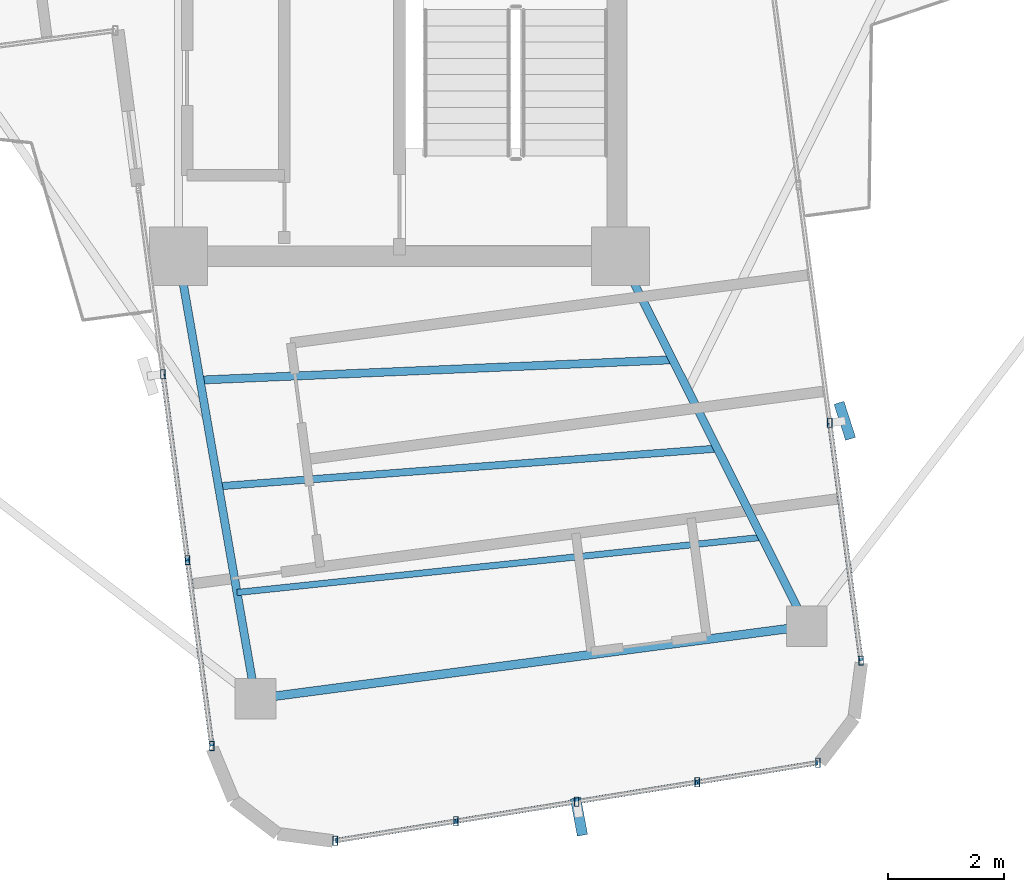
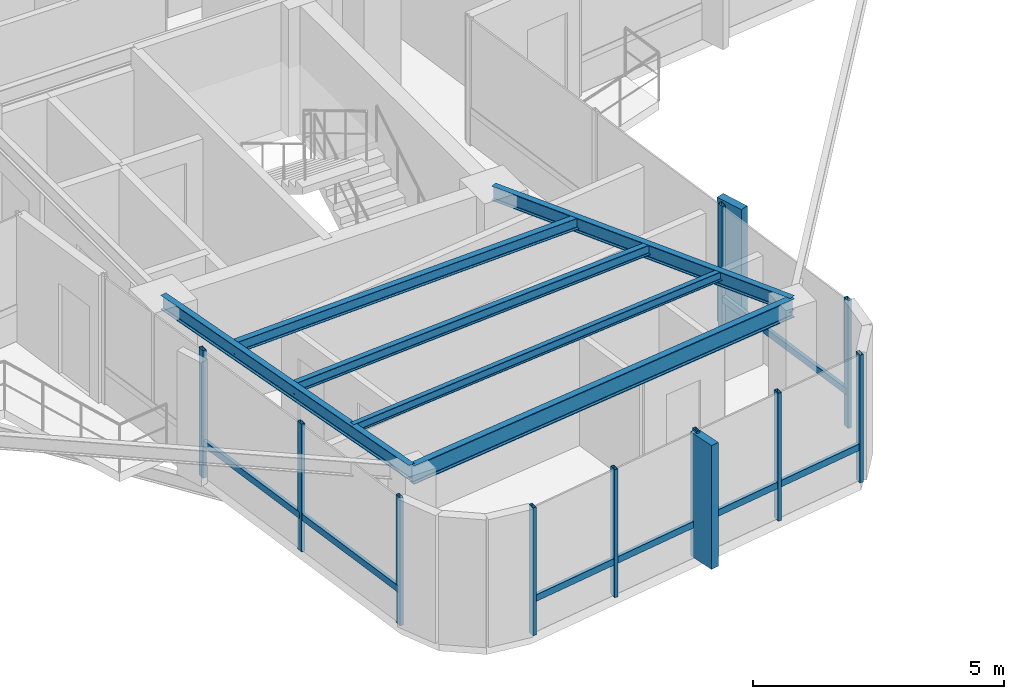
# One storey, part 4 of 22: 19 members, 6 beams, 3 elements without a shape of their own.
"""IFC4 building model written with IfcOpenShell, lengths in metres."""

from ifc_helpers import new_model, si_unit, direction, frame, origin, origin_2d, place, context, subcontext, project, spatial, rectangle, hollow_rectangle, i_section, extrude, source, transform, mapped, material, material_profile, profile_set, type_object, element, aggregate, save


model = new_model("IFC4")

# Units and contexts
model_context = context("Model", 3, precision=1e-05, world=origin(), true_north=direction((0.0, 1.0)))
body_context = subcontext(model_context, "Body", "Model", "MODEL_VIEW")
ifc_project = project(units=[si_unit("LENGTHUNIT", "METRE"), si_unit("AREAUNIT", "SQUARE_METRE"), si_unit("VOLUMEUNIT", "CUBIC_METRE"), si_unit("PLANEANGLEUNIT", "RADIAN"), si_unit("MASSUNIT", "GRAM", prefix="KILO")], contexts=[model_context])

# Site, building, storey
site_placement = place(None, origin())
site = spatial("IfcSite", under=ifc_project, at=site_placement, CompositionType="ELEMENT")
building_placement = place(site_placement, origin())
building = spatial("IfcBuilding", under=site, at=building_placement, Name="Sahyath Konkavel Grand Hotel", CompositionType="ELEMENT")
storey_placement = place(building_placement, frame((0.0, 0.0, 234.449951171875)))
storey = spatial("IfcBuildingStorey", under=building, at=storey_placement, Name="L65", CompositionType="ELEMENT", Elevation=234.449951171875)

# Beams
ifc_material_1 = material(Name="Steel E350", Category="steel")
ifc_material_profile_1 = material_profile(ifc_material_1, i_section(OverallWidth=0.139892578125, OverallDepth=0.35009765625, WebThickness=0.008056640625, FlangeThickness=0.01416015625, FilletRadius=0.013916015625, at=origin_2d()), Name="ISMB 350")
ifc_profile_set_1 = profile_set([ifc_material_profile_1], Name="Steel E350")
beam_type_1 = type_object("IfcBeamType", Name="BM-ISMB350", PredefinedType="BEAM", material=ifc_profile_set_1)
shared_shape_1 = source(origin(), body_context, "Body", "SweptSolid", [
    extrude(i_section(OverallWidth=0.139892578125, OverallDepth=0.35009765625, WebThickness=0.008056640625, FlangeThickness=0.01416015625, FilletRadius=0.013916015625, at=origin_2d()), origin(), (0.0, 0.0, 1.0), 7.72314453125),
])
beam_1_placement = place(storey_placement, frame((-3.800048828125, -10.199951171875, 2.93505859375), z_axis=(0.171494591926, -0.985185061265, 0.0), x_axis=(0.985185061265, 0.171494591926, 0.0)))
element("IfcBeam", 1, at=beam_1_placement, inside=storey, type_object=beam_type_1, Name="L65 Cruciform Radial Girder SA", PredefinedType="BEAM", context=body_context, shape_type="MappedRepresentation", body=[
    mapped(shared_shape_1, transform((0.0, 0.0, 0.0), scale=1.0)),
])
shared_shape_2 = source(origin(), body_context, "Body", "SweptSolid", [
    extrude(i_section(OverallWidth=0.139892578125, OverallDepth=0.35009765625, WebThickness=0.008056640625, FlangeThickness=0.01416015625, FilletRadius=0.013916015625, at=origin_2d()), origin(), (0.0, 0.0, 1.0), 7.12060546875),
])
beam_2_placement = place(storey_placement, frame((3.800048828125, -10.199951171875, 2.93505859375), z_axis=(0.449461374128, -0.893299766689, 0.0), x_axis=(0.893299766689, 0.449461374128, 0.0)))
element("IfcBeam", 2, at=beam_2_placement, inside=storey, type_object=beam_type_1, Name="L65 Cruciform Radial Girder SB", PredefinedType="BEAM", context=body_context, shape_type="MappedRepresentation", body=[
    mapped(shared_shape_2, transform((0.0, 0.0, 0.0), scale=1.0)),
])
ifc_material_profile_2 = material_profile(ifc_material_1, i_section(OverallWidth=0.14990234375, OverallDepth=0.449951171875, WebThickness=0.009521484375, FlangeThickness=0.017333984375, FilletRadius=0.014892578125, at=origin_2d()), Name="ISMB 450")
ifc_profile_set_2 = profile_set([ifc_material_profile_2], Name="Steel E350")
beam_type_2 = type_object("IfcBeamType", Name="BM-ISMB450", PredefinedType="BEAM", material=ifc_profile_set_2)
shared_shape_3 = source(origin(), body_context, "Body", "SweptSolid", [
    extrude(i_section(OverallWidth=0.14990234375, OverallDepth=0.449951171875, WebThickness=0.009521484375, FlangeThickness=0.017333984375, FilletRadius=0.014892578125, at=origin_2d()), origin(), (0.0, 0.0, 1.0), 9.557861328125),
])
beam_3_placement = place(storey_placement, frame((-2.4755859375, -17.80859375, 2.885009765625), z_axis=(0.991441423385, 0.130552303677, 0.0), x_axis=(-0.130552303677, 0.991441423385, 0.0)))
element("IfcBeam", 3, at=beam_3_placement, inside=storey, type_object=beam_type_2, Name="L65 Wing Tip Edge Beam S", PredefinedType="BEAM", context=body_context, shape_type="MappedRepresentation", body=[
    mapped(shared_shape_3, transform((0.0, 0.0, 0.0), scale=1.0)),
])
ifc_material_profile_3 = material_profile(ifc_material_1, i_section(OverallWidth=0.139892578125, OverallDepth=0.27490234375, WebThickness=0.00634765625, FlangeThickness=0.0087890625, FilletRadius=0.012939453125, at=origin_2d()), Name="ISLB 275")
ifc_profile_set_3 = profile_set([ifc_material_profile_3], Name="Steel E350")
beam_type_3 = type_object("IfcBeamType", Name="BM-ISLB275", PredefinedType="BEAM", material=ifc_profile_set_3)
shared_shape_4 = source(origin(), body_context, "Body", "SweptSolid", [
    extrude(i_section(OverallWidth=0.139892578125, OverallDepth=0.27490234375, WebThickness=0.00634765625, FlangeThickness=0.0087890625, FilletRadius=0.012939453125, at=origin_2d()), origin(), (0.0, 0.0, 1.0), 8.1328125),
])
beam_4_placement = place(storey_placement, frame((-3.42919921875, -12.330322265625, 2.97265625), z_axis=(0.999078174948, 0.04292785043, 0.0), x_axis=(-0.04292785043, 0.999078174948, 0.0)))
element("IfcBeam", 4, at=beam_4_placement, inside=storey, type_object=beam_type_3, Name="L65 Secondary Floor Beam S-1", PredefinedType="BEAM", context=body_context, shape_type="MappedRepresentation", body=[
    mapped(shared_shape_4, transform((0.0, 0.0, 0.0), scale=1.0)),
])
ifc_material_profile_4 = material_profile(ifc_material_1, i_section(OverallWidth=0.125, OverallDepth=0.25, WebThickness=0.0068359375, FlangeThickness=0.012451171875, FilletRadius=0.012939453125, at=origin_2d()), Name="ISMB 250")
ifc_profile_set_4 = profile_set([ifc_material_profile_4], Name="Steel E350")
beam_type_4 = type_object("IfcBeamType", Name="BM-ISMB250", PredefinedType="BEAM", material=ifc_profile_set_4)
shared_shape_5 = source(origin(), body_context, "Body", "SweptSolid", [
    extrude(i_section(OverallWidth=0.125, OverallDepth=0.25, WebThickness=0.0068359375, FlangeThickness=0.012451171875, FilletRadius=0.012939453125, at=origin_2d()), origin(), (0.0, 0.0, 1.0), 8.60009765625),
])
beam_5_placement = place(storey_placement, frame((-3.111328125, -14.156494140625, 2.985107421875), z_axis=(0.997151364324, 0.075426498178, 0.0), x_axis=(-0.075426498178, 0.997151364324, 0.0)))
element("IfcBeam", 5, at=beam_5_placement, inside=storey, type_object=beam_type_4, Name="L65 Secondary Floor Beam S-2", PredefinedType="BEAM", context=body_context, shape_type="MappedRepresentation", body=[
    mapped(shared_shape_5, transform((0.0, 0.0, 0.0), scale=1.0)),
])
ifc_material_profile_5 = material_profile(ifc_material_1, i_section(OverallWidth=0.110107421875, OverallDepth=0.22509765625, WebThickness=0.006591796875, FlangeThickness=0.01171875, FilletRadius=0.011962890625, at=origin_2d()), Name="ISMB 225")
ifc_profile_set_5 = profile_set([ifc_material_profile_5], Name="Steel E350")
beam_type_5 = type_object("IfcBeamType", Name="BM-ISMB225", PredefinedType="BEAM", material=ifc_profile_set_5)
shared_shape_6 = source(origin(), body_context, "Body", "SweptSolid", [
    extrude(i_section(OverallWidth=0.110107421875, OverallDepth=0.22509765625, WebThickness=0.006591796875, FlangeThickness=0.01171875, FilletRadius=0.011962890625, at=origin_2d()), origin(), (0.0, 0.0, 1.0), 9.075439453125),
])
beam_6_placement = place(storey_placement, frame((-2.79345703125, -15.982421875, 2.99755859375), z_axis=(0.994526658402, 0.10448313609, 0.0), x_axis=(-0.10448313609, 0.994526658402, 0.0)))
element("IfcBeam", 6, at=beam_6_placement, inside=storey, type_object=beam_type_5, Name="L65 Secondary Floor Beam S-3", PredefinedType="BEAM", context=body_context, shape_type="MappedRepresentation", body=[
    mapped(shared_shape_6, transform((0.0, 0.0, 0.0), scale=1.0)),
])

# Curtain wall, member
ifc_material_2 = material(Name="Anodised Bronze Aluminium & Low-E Glazing", Category="aluminium")
curtain_wall_type = type_object("IfcCurtainWallType", Name="CW-ZONE4", PredefinedType="NOTDEFINED", material=ifc_material_2)
curtain_wall_1_placement = place(storey_placement, origin())
curtain_wall_1 = element("IfcCurtainWall", 7, at=curtain_wall_1_placement, inside=storey, type_object=curtain_wall_type, Name="L65 Unitised Curtain Wall F28", PredefinedType="NOTDEFINED")
ifc_material_3 = material(Name="Warm Buff Sandstone Cladding on Concrete C50/60", Category="masonry")
ifc_material_profile_6 = material_profile(ifc_material_3, rectangle(XDim=0.179931640625, YDim=0.64990234375, at=origin_2d()), Name="FIN 180x650")
ifc_profile_set_6 = profile_set([ifc_material_profile_6], Name="Warm Buff Sandstone Cladding on Concrete C50/60")
member_type_1 = type_object("IfcMemberType", Name="FIN-SANDSTONE-650", PredefinedType="MULLION", material=ifc_profile_set_6)
shared_shape_7 = source(origin(), body_context, "Body", "SweptSolid", [
    extrude(rectangle(XDim=0.179931640625, YDim=0.64990234375, at=origin_2d()), origin(), (0.0, 0.0, 1.0), 3.010009765625),
])
member_1_placement = place(storey_placement, frame((3.085693359375, -19.8359375, 0.050048828125), z_axis=(0.0, 0.0, 1.0), x_axis=(0.982999500399, 0.183608230249, 0.0)))
member_1 = element("IfcMember", 8, at=member_1_placement, type_object=member_type_1, Name="L65 Sandstone Vertical Solar Fin FIN F28-2", PredefinedType="MULLION", context=body_context, shape_type="MappedRepresentation", body=[
    mapped(shared_shape_7, transform((0.0, 0.0, 0.0), scale=1.0)),
])

curtain_wall_2_placement = place(storey_placement, origin())
curtain_wall_2 = element("IfcCurtainWall", 9, at=curtain_wall_2_placement, inside=storey, type_object=curtain_wall_type, Name="L65 Unitised Curtain Wall F31", PredefinedType="NOTDEFINED")
member_2_placement = place(storey_placement, frame((7.6552734375, -13.030517578125, 0.050048828125), z_axis=(0.0, 0.0, 1.0), x_axis=(0.952236042525, 0.30536293049, 0.0)))
member_2 = element("IfcMember", 10, at=member_2_placement, type_object=member_type_1, Name="L65 Sandstone Vertical Solar Fin FIN F31-1", PredefinedType="MULLION", context=body_context, shape_type="MappedRepresentation", body=[
    mapped(shared_shape_7, transform((0.0, 0.0, 0.0), scale=1.0)),
])

# Curtain wall, members
curtain_wall_3_placement = place(storey_placement, origin())
curtain_wall_3 = element("IfcCurtainWall", 11, at=curtain_wall_3_placement, inside=storey, type_object=curtain_wall_type, Name="L65 Unitised Curtain Wall F24", PredefinedType="NOTDEFINED")
ifc_material_4 = material(Name="Anodised Bronze Aluminium", Category="aluminium")
ifc_material_profile_7 = material_profile(ifc_material_4, hollow_rectangle(XDim=0.080078125, YDim=0.159912109375, WallThickness=0.006103515625, at=origin_2d()), Name="RHS 160x80x6")
ifc_profile_set_7 = profile_set([ifc_material_profile_7], Name="Anodised Bronze Aluminium")
member_type_2 = type_object("IfcMemberType", Name="CW-MUL-160", PredefinedType="MULLION", material=ifc_profile_set_7)
shared_shape_8 = source(origin(), body_context, "Body", "SweptSolid", [
    extrude(hollow_rectangle(XDim=0.080078125, YDim=0.159912109375, WallThickness=0.006103515625, at=origin_2d()), origin(), (0.0, 0.0, 1.0), 3.110107421875),
])
member_3_placement = place(storey_placement, frame((-4.067626953125, -12.229248046875, 0.0), z_axis=(0.0, 0.0, 1.0), x_axis=(1.0, 0.0, 0.0)))
member_3 = element("IfcMember", 12, at=member_3_placement, type_object=member_type_2, Name="L65 Curtain Wall Mullion F24-1", PredefinedType="MULLION", context=body_context, shape_type="MappedRepresentation", body=[
    mapped(shared_shape_8, transform((0.0, 0.0, 0.0), scale=1.0)),
])
member_4_placement = place(storey_placement, frame((-3.646484375, -15.42626953125, 0.0), z_axis=(0.0, 0.0, 1.0), x_axis=(1.0, 0.0, 0.0)))
member_4 = element("IfcMember", 13, at=member_4_placement, type_object=member_type_2, Name="L65 Curtain Wall Mullion F24-2", PredefinedType="MULLION", context=body_context, shape_type="MappedRepresentation", body=[
    mapped(shared_shape_8, transform((0.0, 0.0, 0.0), scale=1.0)),
])
member_5_placement = place(storey_placement, frame((-3.2255859375, -18.623291015625, 0.0), z_axis=(0.0, 0.0, 1.0), x_axis=(1.0, 0.0, 0.0)))
member_5 = element("IfcMember", 14, at=member_5_placement, type_object=member_type_2, Name="L65 Curtain Wall Mullion F24-3", PredefinedType="MULLION", context=body_context, shape_type="MappedRepresentation", body=[
    mapped(shared_shape_8, transform((0.0, 0.0, 0.0), scale=1.0)),
])

# Member
member_6_placement = place(storey_placement, frame((-1.10546875, -20.249267578125, 0.0), z_axis=(0.0, 0.0, 1.0), x_axis=(1.0, 0.0, 0.0)))
member_6 = element("IfcMember", 15, at=member_6_placement, type_object=member_type_2, Name="L65 Curtain Wall Mullion F28-0", PredefinedType="MULLION", context=body_context, shape_type="MappedRepresentation", body=[
    mapped(shared_shape_8, transform((0.0, 0.0, 0.0), scale=1.0)),
])

member_7_placement = place(storey_placement, frame((0.969482421875, -19.914306640625, 0.0), z_axis=(0.0, 0.0, 1.0), x_axis=(1.0, 0.0, 0.0)))
member_7 = element("IfcMember", 16, at=member_7_placement, type_object=member_type_2, Name="L65 Curtain Wall Mullion F28-1", PredefinedType="MULLION", context=body_context, shape_type="MappedRepresentation", body=[
    mapped(shared_shape_8, transform((0.0, 0.0, 0.0), scale=1.0)),
])

member_8_placement = place(storey_placement, frame((3.044189453125, -19.5791015625, 0.0), z_axis=(0.0, 0.0, 1.0), x_axis=(1.0, 0.0, 0.0)))
member_8 = element("IfcMember", 17, at=member_8_placement, type_object=member_type_2, Name="L65 Curtain Wall Mullion F28-2", PredefinedType="MULLION", context=body_context, shape_type="MappedRepresentation", body=[
    mapped(shared_shape_8, transform((0.0, 0.0, 0.0), scale=1.0)),
])

member_9_placement = place(storey_placement, frame((5.118896484375, -19.244140625, 0.0), z_axis=(0.0, 0.0, 1.0), x_axis=(1.0, 0.0, 0.0)))
member_9 = element("IfcMember", 18, at=member_9_placement, type_object=member_type_2, Name="L65 Curtain Wall Mullion F28-3", PredefinedType="MULLION", context=body_context, shape_type="MappedRepresentation", body=[
    mapped(shared_shape_8, transform((0.0, 0.0, 0.0), scale=1.0)),
])

member_10_placement = place(storey_placement, frame((7.193603515625, -18.9091796875, 0.0), z_axis=(0.0, 0.0, 1.0), x_axis=(1.0, 0.0, 0.0)))
member_10 = element("IfcMember", 19, at=member_10_placement, type_object=member_type_2, Name="L65 Curtain Wall Mullion F28-4", PredefinedType="MULLION", context=body_context, shape_type="MappedRepresentation", body=[
    mapped(shared_shape_8, transform((0.0, 0.0, 0.0), scale=1.0)),
])

member_11_placement = place(storey_placement, frame((7.935791015625, -17.15380859375, 0.0), z_axis=(0.0, 0.0, 1.0), x_axis=(1.0, 0.0, 0.0)))
member_11 = element("IfcMember", 20, at=member_11_placement, type_object=member_type_2, Name="L65 Curtain Wall Mullion F31-0", PredefinedType="MULLION", context=body_context, shape_type="MappedRepresentation", body=[
    mapped(shared_shape_8, transform((0.0, 0.0, 0.0), scale=1.0)),
])

member_12_placement = place(storey_placement, frame((7.3974609375, -13.064453125, 0.0), z_axis=(0.0, 0.0, 1.0), x_axis=(1.0, 0.0, 0.0)))
member_12 = element("IfcMember", 21, at=member_12_placement, type_object=member_type_2, Name="L65 Curtain Wall Mullion F31-1", PredefinedType="MULLION", context=body_context, shape_type="MappedRepresentation", body=[
    mapped(shared_shape_8, transform((0.0, 0.0, 0.0), scale=1.0)),
])

ifc_material_profile_8 = material_profile(ifc_material_4, hollow_rectangle(XDim=0.080078125, YDim=0.159912109375, WallThickness=0.006103515625, at=origin_2d()), Name="RHS 160x80x6")
ifc_profile_set_8 = profile_set([ifc_material_profile_8], Name="Anodised Bronze Aluminium")
member_type_3 = type_object("IfcMemberType", Name="CW-TRN-160", PredefinedType="USERDEFINED", material=ifc_profile_set_8)
shared_shape_9 = source(origin(), body_context, "Body", "SweptSolid", [
    extrude(hollow_rectangle(XDim=0.080078125, YDim=0.159912109375, WallThickness=0.006103515625, at=origin_2d()), origin(), (0.0, 0.0, 1.0), 3.224609375),
])
member_13_placement = place(storey_placement, frame((-4.067626953125, -12.229248046875, 0.85009765625), z_axis=(0.130601397608, -0.991434957495, 0.0), x_axis=(0.991434957495, 0.130601397608, 0.0)))
member_13 = element("IfcMember", 22, at=member_13_placement, type_object=member_type_3, Name="L65 Curtain Wall Transom F24-1-spandrel", ObjectType="TRANSOM", PredefinedType="USERDEFINED", context=body_context, shape_type="MappedRepresentation", body=[
    mapped(shared_shape_9, transform((0.0, 0.0, 0.0), scale=1.0)),
])

member_14_placement = place(storey_placement, frame((-3.646484375, -15.42626953125, 0.85009765625), z_axis=(0.13052697693, -0.991444758064, 0.0), x_axis=(0.991444758064, 0.13052697693, 0.0)))
member_14 = element("IfcMember", 23, at=member_14_placement, type_object=member_type_3, Name="L65 Curtain Wall Transom F24-2-spandrel", ObjectType="TRANSOM", PredefinedType="USERDEFINED", context=body_context, shape_type="MappedRepresentation", body=[
    mapped(shared_shape_9, transform((0.0, 0.0, 0.0), scale=1.0)),
])

aggregate(curtain_wall_3, [member_3, member_4, member_5, member_13, member_14])

shared_shape_10 = source(origin(), body_context, "Body", "SweptSolid", [
    extrude(hollow_rectangle(XDim=0.080078125, YDim=0.159912109375, WallThickness=0.006103515625, at=origin_2d()), origin(), (0.0, 0.0, 1.0), 2.101806640625),
])
member_15_placement = place(storey_placement, frame((-1.10546875, -20.249267578125, 0.85009765625), z_axis=(0.987219317281, 0.159367561279, 0.0), x_axis=(-0.159367561279, 0.987219317281, 0.0)))
member_15 = element("IfcMember", 24, at=member_15_placement, type_object=member_type_3, Name="L65 Curtain Wall Transom F28-0-spandrel", ObjectType="TRANSOM", PredefinedType="USERDEFINED", context=body_context, shape_type="MappedRepresentation", body=[
    mapped(shared_shape_10, transform((0.0, 0.0, 0.0), scale=1.0)),
])

shared_shape_11 = source(origin(), body_context, "Body", "SweptSolid", [
    extrude(hollow_rectangle(XDim=0.080078125, YDim=0.159912109375, WallThickness=0.006103515625, at=origin_2d()), origin(), (0.0, 0.0, 1.0), 2.1015625),
])
member_16_placement = place(storey_placement, frame((0.969482421875, -19.914306640625, 0.85009765625), z_axis=(0.987198081237, 0.159499054547, 0.0), x_axis=(-0.159499054547, 0.987198081237, 0.0)))
member_16 = element("IfcMember", 25, at=member_16_placement, type_object=member_type_3, Name="L65 Curtain Wall Transom F28-1-spandrel", ObjectType="TRANSOM", PredefinedType="USERDEFINED", context=body_context, shape_type="MappedRepresentation", body=[
    mapped(shared_shape_11, transform((0.0, 0.0, 0.0), scale=1.0)),
])

member_17_placement = place(storey_placement, frame((3.044189453125, -19.5791015625, 0.85009765625), z_axis=(0.987216366612, 0.159385838432, 0.0), x_axis=(-0.159385838432, 0.987216366612, 0.0)))
member_17 = element("IfcMember", 26, at=member_17_placement, type_object=member_type_3, Name="L65 Curtain Wall Transom F28-2-spandrel", ObjectType="TRANSOM", PredefinedType="USERDEFINED", context=body_context, shape_type="MappedRepresentation", body=[
    mapped(shared_shape_11, transform((0.0, 0.0, 0.0), scale=1.0)),
])

member_18_placement = place(storey_placement, frame((5.118896484375, -19.244140625, 0.85009765625), z_axis=(0.987216366612, 0.159385838432, 0.0), x_axis=(-0.159385838432, 0.987216366612, 0.0)))
member_18 = element("IfcMember", 27, at=member_18_placement, type_object=member_type_3, Name="L65 Curtain Wall Transom F28-3-spandrel", ObjectType="TRANSOM", PredefinedType="USERDEFINED", context=body_context, shape_type="MappedRepresentation", body=[
    mapped(shared_shape_11, transform((0.0, 0.0, 0.0), scale=1.0)),
])

aggregate(curtain_wall_1, [member_6, member_7, member_8, member_1, member_9, member_10, member_15, member_16, member_17, member_18])

shared_shape_12 = source(origin(), body_context, "Body", "SweptSolid", [
    extrude(hollow_rectangle(XDim=0.080078125, YDim=0.159912109375, WallThickness=0.006103515625, at=origin_2d()), origin(), (0.0, 0.0, 1.0), 4.124755859375),
])
member_19_placement = place(storey_placement, frame((7.935791015625, -17.15380859375, 0.85009765625), z_axis=(-0.130515758099, 0.991446234996, 0.0), x_axis=(-0.991446234996, -0.130515758099, 0.0)))
member_19 = element("IfcMember", 28, at=member_19_placement, type_object=member_type_3, Name="L65 Curtain Wall Transom F31-0-spandrel", ObjectType="TRANSOM", PredefinedType="USERDEFINED", context=body_context, shape_type="MappedRepresentation", body=[
    mapped(shared_shape_12, transform((0.0, 0.0, 0.0), scale=1.0)),
])

aggregate(curtain_wall_2, [member_11, member_12, member_2, member_19])

save(model, "model.ifc")
